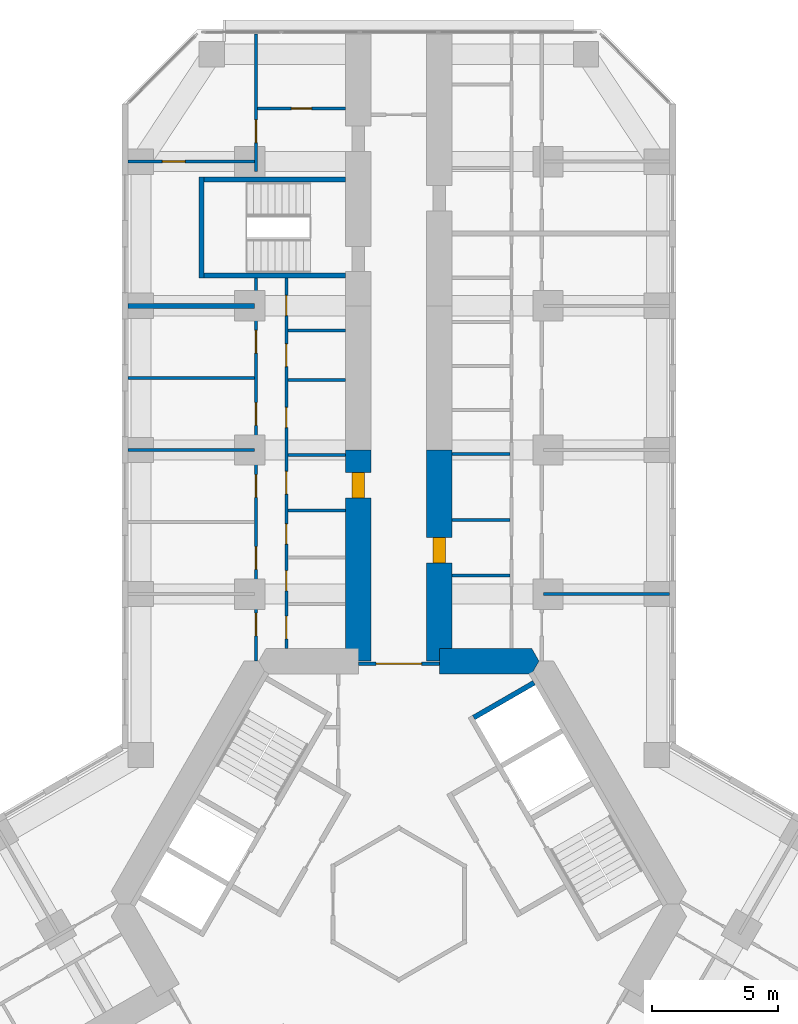
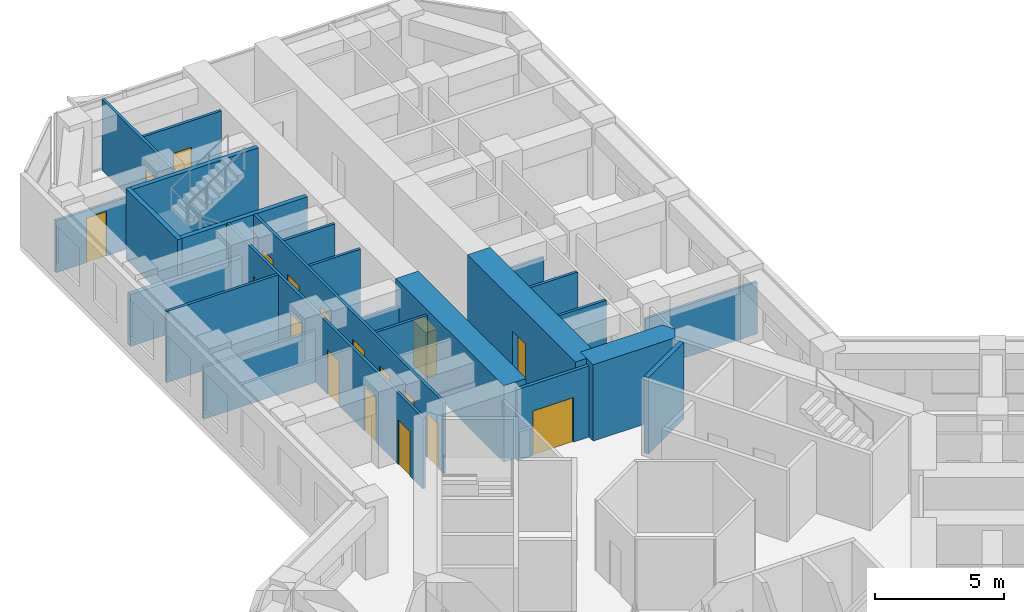
# One storey, part 17 of 21: 24 walls, 18 doors, 18 openings.
"""IFC4 building model written with IfcOpenShell, lengths in metres."""

from ifc_helpers import new_model, si_unit, direction, frame, frame_2d, origin, place, context, subcontext, project, spatial, polyline, rectangle, outline, extrude, material, layer, layer_set, type_object, element, fill, save


model = new_model("IFC4")

# Units and contexts
model_context = context("Model", 3, precision=1e-05, world=origin(), true_north=direction((0.0, 1.0)))
body_context = subcontext(model_context, "Body", "Model", "MODEL_VIEW")
ifc_project = project(units=[si_unit("LENGTHUNIT", "METRE"), si_unit("AREAUNIT", "SQUARE_METRE"), si_unit("VOLUMEUNIT", "CUBIC_METRE"), si_unit("PLANEANGLEUNIT", "RADIAN"), si_unit("MASSUNIT", "GRAM", prefix="KILO")], contexts=[model_context])

# Site, building, storey
site_placement = place(None, origin())
site = spatial("IfcSite", under=ifc_project, at=site_placement, CompositionType="ELEMENT")
building_placement = place(site_placement, origin())
building = spatial("IfcBuilding", under=site, at=building_placement, Name="Kosmar Iwan School Tower", CompositionType="ELEMENT")
storey_placement = place(building_placement, frame((0.0, 0.0, 68.199951171875)))
storey = spatial("IfcBuildingStorey", under=building, at=storey_placement, Name="L16", CompositionType="ELEMENT", Elevation=68.199951171875)

# Wall
ifc_material_1 = material(Name="Concrete C50/60", Category="concrete")
ifc_layer_1 = layer(ifc_material_1, 1.0)
ifc_layer_set_1 = layer_set([ifc_layer_1], Name="Core wall 1000")
wall_type_1 = type_object("IfcWallType", Name="Core wall 1000", PredefinedType="SHEAR", material=ifc_layer_set_1)
wall_1_placement = place(storey_placement, origin())
element("IfcWall", 1, at=wall_1_placement, inside=storey, type_object=wall_type_1, Name="Core wall F090a", PredefinedType="SHEAR", context=body_context, shape_type="SweptSolid", body=[
    extrude(outline(polyline([(1.60009765625, 9.10009765625), (5.25390625, 9.10009765625), (5.54248046875, 9.60009765625), (5.25390625, 10.10009765625), (1.60009765625, 10.10009765625), (1.60009765625, 9.10009765625)])), origin(), (0.0, 0.0, 1.0), 3.60009765625),
])

# Wall, opening, door
ifc_material_2 = material(Name="Concrete C50/60", Category="concrete")
ifc_layer_2 = layer(ifc_material_2, 1.0)
ifc_layer_set_2 = layer_set([ifc_layer_2], Name="Corridor buttress wall 1000")
wall_type_2 = type_object("IfcWallType", Name="Corridor buttress wall 1000", PredefinedType="SHEAR", material=ifc_layer_set_2)
wall_2_placement = place(storey_placement, frame((-1.60009765625, 9.60009765625, 0.0), z_axis=(0.0, 0.0, 1.0), x_axis=(0.0, 1.0, 0.0)))
wall_2 = element("IfcWall", 2, at=wall_2_placement, inside=storey, type_object=wall_type_2, Name="Corridor wall AL", PredefinedType="SHEAR", context=body_context, shape_type="SweptSolid", body=[
    extrude(rectangle(XDim=8.349853515625, YDim=1.0, at=frame_2d((4.1748046875, 0.0))), origin(), (0.0, 0.0, 1.0), 3.60009765625),
])
opening_1_placement = place(wall_2_placement, frame((6.449951171875, 0.0, 0.0)))
opening_1 = element("IfcOpeningElement", 3, at=opening_1_placement, cuts=wall_2, Name="Opening D1", PredefinedType="OPENING", context=body_context, shape_type="SweptSolid", body=[
    extrude(rectangle(XDim=1.0, YDim=2.10009765625, at=frame_2d((0.5, 1.050048828125))), frame((0.0, 0.511962890625, 0.0), z_axis=(0.0, -1.0, 0.0), x_axis=(1.0, 0.0, 0.0)), (0.0, 0.0, 1.0), 1.02392578125),
])
ifc_material_3 = material(Name="Timber fire door in steel frame", Category="steel")
door_type_1 = type_object("IfcDoorType", Name="Flat entrance door 1000x2100", OperationType="SINGLE_SWING_LEFT", PredefinedType="DOOR", material=ifc_material_3)
door_1_placement = place(opening_1_placement, origin())
door_1 = element("IfcDoor", 4, at=door_1_placement, inside=storey, type_object=door_type_1, Name="Flat L16-AL1 entrance door", OperationType="SINGLE_SWING_LEFT", OverallHeight=2.10009765625, OverallWidth=1.0, PredefinedType="DOOR", context=body_context, shape_type="SweptSolid", body=[
    extrude(rectangle(XDim=1.0, YDim=2.10009765625, at=frame_2d((0.5, 1.050048828125))), frame((0.0, 0.25, 0.0), z_axis=(0.0, -1.0, 0.0), x_axis=(1.0, 0.0, 0.0)), (0.0, 0.0, 1.0), 0.5),
])
fill(opening_1, door_1)

wall_3_placement = place(storey_placement, frame((1.60009765625, 9.60009765625, 0.0), z_axis=(0.0, 0.0, 1.0), x_axis=(0.0, 1.0, 0.0)))
wall_3 = element("IfcWall", 5, at=wall_3_placement, inside=storey, type_object=wall_type_2, Name="Corridor wall AR", PredefinedType="SHEAR", context=body_context, shape_type="SweptSolid", body=[
    extrude(rectangle(XDim=8.349853515625, YDim=1.0, at=frame_2d((4.1748046875, 0.0))), origin(), (0.0, 0.0, 1.0), 3.60009765625),
])
opening_2_placement = place(wall_3_placement, frame((3.8798828125, 0.0, 0.0)))
opening_2 = element("IfcOpeningElement", 6, at=opening_2_placement, cuts=wall_3, Name="Opening D1", PredefinedType="OPENING", context=body_context, shape_type="SweptSolid", body=[
    extrude(rectangle(XDim=1.0, YDim=2.10009765625, at=frame_2d((0.5, 1.050048828125))), frame((0.0, 0.511962890625, 0.0), z_axis=(0.0, -1.0, 0.0), x_axis=(1.0, 0.0, 0.0)), (0.0, 0.0, 1.0), 1.02392578125),
])
door_2_placement = place(opening_2_placement, origin())
door_2 = element("IfcDoor", 7, at=door_2_placement, inside=storey, type_object=door_type_1, Name="Flat L16-AR1 entrance door", OperationType="SINGLE_SWING_RIGHT", OverallHeight=2.10009765625, OverallWidth=1.0, PredefinedType="DOOR", context=body_context, shape_type="SweptSolid", body=[
    extrude(rectangle(XDim=1.0, YDim=2.10009765625, at=frame_2d((0.5, 1.050048828125))), frame((0.0, 0.25, 0.0), z_axis=(0.0, -1.0, 0.0), x_axis=(1.0, 0.0, 0.0)), (0.0, 0.0, 1.0), 0.5),
])
fill(opening_2, door_2)

ifc_material_4 = material(Name="Steel framed glazed screen", Category="steel")
ifc_layer_3 = layer(ifc_material_4, 0.14990234375)
ifc_layer_set_3 = layer_set([ifc_layer_3], Name="Corridor screen wall 150")
wall_type_3 = type_object("IfcWallType", Name="Corridor screen wall 150", PredefinedType="PARTITIONING", material=ifc_layer_set_3)
wall_4_placement = place(storey_placement, frame((1.60009765625, 9.5, 0.0), z_axis=(0.0, 0.0, 1.0), x_axis=(-1.0, 0.0, 0.0)))
wall_4 = element("IfcWall", 8, at=wall_4_placement, inside=storey, type_object=wall_type_3, Name="Corridor screen A L16", PredefinedType="PARTITIONING", context=body_context, shape_type="SweptSolid", body=[
    extrude(rectangle(XDim=3.2001953125, YDim=0.14990234375, at=frame_2d((1.60009765625, 0.0))), origin(), (0.0, 0.0, 1.0), 3.35009765625),
])
opening_3_placement = place(wall_4_placement, frame((0.699951171875, 0.0, 0.0)))
opening_3 = element("IfcOpeningElement", 9, at=opening_3_placement, cuts=wall_4, Name="Opening D9", PredefinedType="OPENING", context=body_context, shape_type="SweptSolid", body=[
    extrude(rectangle(XDim=1.800048828125, YDim=2.10009765625, at=frame_2d((0.89990234375, 1.050048828125))), frame((0.0, 0.0869140625, 0.0), z_axis=(0.0, -1.0, 0.0), x_axis=(1.0, 0.0, 0.0)), (0.0, 0.0, 1.0), 0.173828125),
])
ifc_material_5 = material(Name="Steel framed glazed smoke door", Category="steel")
door_type_2 = type_object("IfcDoorType", Name="Corridor smoke door pair 1800x2100", OperationType="DOUBLE_DOOR_DOUBLE_SWING", PredefinedType="DOOR", material=ifc_material_5)
door_3_placement = place(opening_3_placement, origin())
door_3 = element("IfcDoor", 10, at=door_3_placement, inside=storey, type_object=door_type_2, Name="Corridor doors A L16", OperationType="DOUBLE_DOOR_DOUBLE_SWING", OverallHeight=2.10009765625, OverallWidth=1.800048828125, PredefinedType="DOOR", context=body_context, shape_type="SweptSolid", body=[
    extrude(rectangle(XDim=1.800048828125, YDim=2.10009765625, at=frame_2d((0.89990234375, 1.050048828125))), frame((0.0, 0.02490234375, 0.0), z_axis=(0.0, -1.0, 0.0), x_axis=(1.0, 0.0, 0.0)), (0.0, 0.0, 1.0), 0.050048828125),
])
fill(opening_3, door_3)

# Wall, openings, doors
ifc_material_6 = material(Name="Gypsum board on steel studs", Category="steel")
ifc_layer_4 = layer(ifc_material_6, 0.1201171875)
ifc_layer_set_4 = layer_set([ifc_layer_4], Name="Dwelling partition 120")
wall_type_4 = type_object("IfcWallType", Name="Dwelling partition 120", PredefinedType="PARTITIONING", material=ifc_layer_set_4)
wall_5_placement = place(storey_placement, frame((-4.449951171875, 10.10009765625, 0.0), z_axis=(0.0, 0.0, 1.0), x_axis=(0.0, 1.0, 0.0)))
wall_5 = element("IfcWall", 11, at=wall_5_placement, inside=storey, type_object=wall_type_4, Name="Partition L16-AL1-W1", PredefinedType="PARTITIONING", context=body_context, shape_type="SweptSolid", body=[
    extrude(rectangle(XDim=14.64990234375, YDim=0.1201171875, at=frame_2d((7.324951171875, 0.0))), origin(), (0.0, 0.0, 1.0), 3.35009765625),
])
opening_4_placement = place(wall_5_placement, frame((0.375, 0.0, 0.0)))
opening_4 = element("IfcOpeningElement", 12, at=opening_4_placement, cuts=wall_5, Name="Opening D2", PredefinedType="OPENING", context=body_context, shape_type="SweptSolid", body=[
    extrude(rectangle(XDim=0.89990234375, YDim=2.10009765625, at=frame_2d((0.449951171875, 1.050048828125))), frame((0.0, 0.072021484375, 0.0), z_axis=(0.0, -1.0, 0.0), x_axis=(1.0, 0.0, 0.0)), (0.0, 0.0, 1.0), 0.14404296875),
])
opening_5_placement = place(wall_5_placement, frame((2.27490234375, 0.0, 0.0)))
opening_5 = element("IfcOpeningElement", 13, at=opening_5_placement, cuts=wall_5, Name="Opening D3", PredefinedType="OPENING", context=body_context, shape_type="SweptSolid", body=[
    extrude(rectangle(XDim=0.800048828125, YDim=2.10009765625, at=frame_2d((0.39990234375, 1.050048828125))), frame((0.0, 0.072021484375, 0.0), z_axis=(0.0, -1.0, 0.0), x_axis=(1.0, 0.0, 0.0)), (0.0, 0.0, 1.0), 0.14404296875),
])
opening_6_placement = place(wall_5_placement, frame((4.125, 0.0, 0.0)))
opening_6 = element("IfcOpeningElement", 14, at=opening_6_placement, cuts=wall_5, Name="Opening D3", PredefinedType="OPENING", context=body_context, shape_type="SweptSolid", body=[
    extrude(rectangle(XDim=0.800048828125, YDim=2.10009765625, at=frame_2d((0.39990234375, 1.050048828125))), frame((0.0, 0.072021484375, 0.0), z_axis=(0.0, -1.0, 0.0), x_axis=(1.0, 0.0, 0.0)), (0.0, 0.0, 1.0), 0.14404296875),
])
opening_7_placement = place(wall_5_placement, frame((6.10009765625, 0.0, 0.0)))
opening_7 = element("IfcOpeningElement", 15, at=opening_7_placement, cuts=wall_5, Name="Opening D2", PredefinedType="OPENING", context=body_context, shape_type="SweptSolid", body=[
    extrude(rectangle(XDim=0.89990234375, YDim=2.10009765625, at=frame_2d((0.449951171875, 1.050048828125))), frame((0.0, 0.072021484375, 0.0), z_axis=(0.0, -1.0, 0.0), x_axis=(1.0, 0.0, 0.0)), (0.0, 0.0, 1.0), 0.14404296875),
])
opening_8_placement = place(wall_5_placement, frame((8.728515625, 0.0, 0.0)))
opening_8 = element("IfcOpeningElement", 16, at=opening_8_placement, cuts=wall_5, Name="Opening D3", PredefinedType="OPENING", context=body_context, shape_type="SweptSolid", body=[
    extrude(rectangle(XDim=0.800048828125, YDim=2.10009765625, at=frame_2d((0.39990234375, 1.050048828125))), frame((0.0, 0.072021484375, 0.0), z_axis=(0.0, -1.0, 0.0), x_axis=(1.0, 0.0, 0.0)), (0.0, 0.0, 1.0), 0.14404296875),
])
opening_9_placement = place(wall_5_placement, frame((11.142822265625, 0.0, 0.0)))
opening_9 = element("IfcOpeningElement", 17, at=opening_9_placement, cuts=wall_5, Name="Opening D2", PredefinedType="OPENING", context=body_context, shape_type="SweptSolid", body=[
    extrude(rectangle(XDim=0.89990234375, YDim=2.10009765625, at=frame_2d((0.449951171875, 1.050048828125))), frame((0.0, 0.072021484375, 0.0), z_axis=(0.0, -1.0, 0.0), x_axis=(1.0, 0.0, 0.0)), (0.0, 0.0, 1.0), 0.14404296875),
])
opening_10_placement = place(wall_5_placement, frame((13.164306640625, 0.0, 0.0)))
opening_10 = element("IfcOpeningElement", 18, at=opening_10_placement, cuts=wall_5, Name="Opening D3", PredefinedType="OPENING", context=body_context, shape_type="SweptSolid", body=[
    extrude(rectangle(XDim=0.800048828125, YDim=2.10009765625, at=frame_2d((0.39990234375, 1.050048828125))), frame((0.0, 0.072021484375, 0.0), z_axis=(0.0, -1.0, 0.0), x_axis=(1.0, 0.0, 0.0)), (0.0, 0.0, 1.0), 0.14404296875),
])
ifc_material_7 = material(Name="Timber door in timber frame", Category="wood")
door_type_3 = type_object("IfcDoorType", Name="Internal door 900x2100", OperationType="SINGLE_SWING_LEFT", PredefinedType="DOOR", material=ifc_material_7)
door_4_placement = place(opening_4_placement, origin())
door_4 = element("IfcDoor", 19, at=door_4_placement, inside=storey, type_object=door_type_3, Name="Utility room door L16-AL1-S1", OperationType="SINGLE_SWING_LEFT", OverallHeight=2.10009765625, OverallWidth=0.89990234375, PredefinedType="DOOR", context=body_context, shape_type="SweptSolid", body=[
    extrude(rectangle(XDim=0.89990234375, YDim=2.10009765625, at=frame_2d((0.449951171875, 1.050048828125))), frame((0.0, 0.02490234375, 0.0), z_axis=(0.0, -1.0, 0.0), x_axis=(1.0, 0.0, 0.0)), (0.0, 0.0, 1.0), 0.050048828125),
])
fill(opening_4, door_4)
door_5_placement = place(opening_7_placement, origin())
door_5 = element("IfcDoor", 20, at=door_5_placement, inside=storey, type_object=door_type_3, Name="Entrance hall door L16-AL1-S4", OperationType="SINGLE_SWING_LEFT", OverallHeight=2.10009765625, OverallWidth=0.89990234375, PredefinedType="DOOR", context=body_context, shape_type="SweptSolid", body=[
    extrude(rectangle(XDim=0.89990234375, YDim=2.10009765625, at=frame_2d((0.449951171875, 1.050048828125))), frame((0.0, 0.02490234375, 0.0), z_axis=(0.0, -1.0, 0.0), x_axis=(1.0, 0.0, 0.0)), (0.0, 0.0, 1.0), 0.050048828125),
])
fill(opening_7, door_5)
door_6_placement = place(opening_9_placement, origin())
door_6 = element("IfcDoor", 21, at=door_6_placement, inside=storey, type_object=door_type_3, Name="Pantry door L16-AL1-S6", OperationType="SINGLE_SWING_RIGHT", OverallHeight=2.10009765625, OverallWidth=0.89990234375, PredefinedType="DOOR", context=body_context, shape_type="SweptSolid", body=[
    extrude(rectangle(XDim=0.89990234375, YDim=2.10009765625, at=frame_2d((0.449951171875, 1.050048828125))), frame((0.0, 0.02490234375, 0.0), z_axis=(0.0, -1.0, 0.0), x_axis=(1.0, 0.0, 0.0)), (0.0, 0.0, 1.0), 0.050048828125),
])
fill(opening_9, door_6)
ifc_material_8 = material(Name="Timber door in timber frame", Category="wood")
door_type_4 = type_object("IfcDoorType", Name="Sanitary room door 800x2100", OperationType="SINGLE_SWING_LEFT", PredefinedType="DOOR", material=ifc_material_8)
door_7_placement = place(opening_5_placement, origin())
door_7 = element("IfcDoor", 22, at=door_7_placement, inside=storey, type_object=door_type_4, Name="WC door L16-AL1-S2", OperationType="SINGLE_SWING_LEFT", OverallHeight=2.10009765625, OverallWidth=0.800048828125, PredefinedType="DOOR", context=body_context, shape_type="SweptSolid", body=[
    extrude(rectangle(XDim=0.800048828125, YDim=2.10009765625, at=frame_2d((0.39990234375, 1.050048828125))), frame((0.0, 0.02490234375, 0.0), z_axis=(0.0, -1.0, 0.0), x_axis=(1.0, 0.0, 0.0)), (0.0, 0.0, 1.0), 0.050048828125),
])
fill(opening_5, door_7)
door_8_placement = place(opening_6_placement, origin())
door_8 = element("IfcDoor", 23, at=door_8_placement, inside=storey, type_object=door_type_4, Name="Shower room door L16-AL1-S3", OperationType="SINGLE_SWING_LEFT", OverallHeight=2.10009765625, OverallWidth=0.800048828125, PredefinedType="DOOR", context=body_context, shape_type="SweptSolid", body=[
    extrude(rectangle(XDim=0.800048828125, YDim=2.10009765625, at=frame_2d((0.39990234375, 1.050048828125))), frame((0.0, 0.02490234375, 0.0), z_axis=(0.0, -1.0, 0.0), x_axis=(1.0, 0.0, 0.0)), (0.0, 0.0, 1.0), 0.050048828125),
])
fill(opening_6, door_8)
door_9_placement = place(opening_8_placement, origin())
door_9 = element("IfcDoor", 24, at=door_9_placement, inside=storey, type_object=door_type_4, Name="Bathroom door L16-AL1-S5", OperationType="SINGLE_SWING_RIGHT", OverallHeight=2.10009765625, OverallWidth=0.800048828125, PredefinedType="DOOR", context=body_context, shape_type="SweptSolid", body=[
    extrude(rectangle(XDim=0.800048828125, YDim=2.10009765625, at=frame_2d((0.39990234375, 1.050048828125))), frame((0.0, 0.02490234375, 0.0), z_axis=(0.0, -1.0, 0.0), x_axis=(1.0, 0.0, 0.0)), (0.0, 0.0, 1.0), 0.050048828125),
])
fill(opening_8, door_9)
door_10_placement = place(opening_10_placement, origin())
door_10 = element("IfcDoor", 25, at=door_10_placement, inside=storey, type_object=door_type_4, Name="Store door L16-AL1-S7", OperationType="SINGLE_SWING_RIGHT", OverallHeight=2.10009765625, OverallWidth=0.800048828125, PredefinedType="DOOR", context=body_context, shape_type="SweptSolid", body=[
    extrude(rectangle(XDim=0.800048828125, YDim=2.10009765625, at=frame_2d((0.39990234375, 1.050048828125))), frame((0.0, 0.02490234375, 0.0), z_axis=(0.0, -1.0, 0.0), x_axis=(1.0, 0.0, 0.0)), (0.0, 0.0, 1.0), 0.050048828125),
])
fill(opening_10, door_10)

wall_6_placement = place(storey_placement, frame((-5.64990234375, 9.60009765625, 0.0), z_axis=(0.0, 0.0, 1.0), x_axis=(0.0, 1.0, 0.0)))
wall_6 = element("IfcWall", 26, at=wall_6_placement, inside=storey, type_object=wall_type_4, Name="Partition L16-AL1-W2", PredefinedType="PARTITIONING", context=body_context, shape_type="SweptSolid", body=[
    extrude(rectangle(XDim=15.14990234375, YDim=0.1201171875, at=frame_2d((7.574951171875, 0.0))), origin(), (0.0, 0.0, 1.0), 3.35009765625),
])
opening_11_placement = place(wall_6_placement, frame((1.0, 0.0, 0.0)))
opening_11 = element("IfcOpeningElement", 27, at=opening_11_placement, cuts=wall_6, Name="Opening D2", PredefinedType="OPENING", context=body_context, shape_type="SweptSolid", body=[
    extrude(rectangle(XDim=0.89990234375, YDim=2.10009765625, at=frame_2d((0.449951171875, 1.050048828125))), frame((0.0, 0.072021484375, 0.0), z_axis=(0.0, -1.0, 0.0), x_axis=(1.0, 0.0, 0.0)), (0.0, 0.0, 1.0), 0.14404296875),
])
opening_12_placement = place(wall_6_placement, frame((3.625, 0.0, 0.0)))
opening_12 = element("IfcOpeningElement", 28, at=opening_12_placement, cuts=wall_6, Name="Opening D2", PredefinedType="OPENING", context=body_context, shape_type="SweptSolid", body=[
    extrude(rectangle(XDim=0.89990234375, YDim=2.10009765625, at=frame_2d((0.449951171875, 1.050048828125))), frame((0.0, 0.072021484375, 0.0), z_axis=(0.0, -1.0, 0.0), x_axis=(1.0, 0.0, 0.0)), (0.0, 0.0, 1.0), 0.14404296875),
])
opening_13_placement = place(wall_6_placement, frame((6.47509765625, 0.0, 0.0)))
opening_13 = element("IfcOpeningElement", 29, at=opening_13_placement, cuts=wall_6, Name="Opening D2", PredefinedType="OPENING", context=body_context, shape_type="SweptSolid", body=[
    extrude(rectangle(XDim=0.89990234375, YDim=2.10009765625, at=frame_2d((0.449951171875, 1.050048828125))), frame((0.0, 0.072021484375, 0.0), z_axis=(0.0, -1.0, 0.0), x_axis=(1.0, 0.0, 0.0)), (0.0, 0.0, 1.0), 0.14404296875),
])
opening_14_placement = place(wall_6_placement, frame((9.324951171875, 0.0, 0.0)))
opening_14 = element("IfcOpeningElement", 30, at=opening_14_placement, cuts=wall_6, Name="Opening D2", PredefinedType="OPENING", context=body_context, shape_type="SweptSolid", body=[
    extrude(rectangle(XDim=0.89990234375, YDim=2.10009765625, at=frame_2d((0.449951171875, 1.050048828125))), frame((0.0, 0.072021484375, 0.0), z_axis=(0.0, -1.0, 0.0), x_axis=(1.0, 0.0, 0.0)), (0.0, 0.0, 1.0), 0.14404296875),
])
opening_15_placement = place(wall_6_placement, frame((12.175048828125, 0.0, 0.0)))
opening_15 = element("IfcOpeningElement", 31, at=opening_15_placement, cuts=wall_6, Name="Opening D2", PredefinedType="OPENING", context=body_context, shape_type="SweptSolid", body=[
    extrude(rectangle(XDim=0.89990234375, YDim=2.10009765625, at=frame_2d((0.449951171875, 1.050048828125))), frame((0.0, 0.072021484375, 0.0), z_axis=(0.0, -1.0, 0.0), x_axis=(1.0, 0.0, 0.0)), (0.0, 0.0, 1.0), 0.14404296875),
])
door_11_placement = place(opening_11_placement, origin())
door_11 = element("IfcDoor", 32, at=door_11_placement, inside=storey, type_object=door_type_3, Name="Living room and kitchen door L16-AL1-F1", OperationType="SINGLE_SWING_LEFT", OverallHeight=2.10009765625, OverallWidth=0.89990234375, PredefinedType="DOOR", context=body_context, shape_type="SweptSolid", body=[
    extrude(rectangle(XDim=0.89990234375, YDim=2.10009765625, at=frame_2d((0.449951171875, 1.050048828125))), frame((0.0, 0.02490234375, 0.0), z_axis=(0.0, -1.0, 0.0), x_axis=(1.0, 0.0, 0.0)), (0.0, 0.0, 1.0), 0.050048828125),
])
fill(opening_11, door_11)
door_12_placement = place(opening_12_placement, origin())
door_12 = element("IfcDoor", 33, at=door_12_placement, inside=storey, type_object=door_type_3, Name="Study door L16-AL1-F2", OperationType="SINGLE_SWING_LEFT", OverallHeight=2.10009765625, OverallWidth=0.89990234375, PredefinedType="DOOR", context=body_context, shape_type="SweptSolid", body=[
    extrude(rectangle(XDim=0.89990234375, YDim=2.10009765625, at=frame_2d((0.449951171875, 1.050048828125))), frame((0.0, 0.02490234375, 0.0), z_axis=(0.0, -1.0, 0.0), x_axis=(1.0, 0.0, 0.0)), (0.0, 0.0, 1.0), 0.050048828125),
])
fill(opening_12, door_12)
door_13_placement = place(opening_13_placement, origin())
door_13 = element("IfcDoor", 34, at=door_13_placement, inside=storey, type_object=door_type_3, Name="Bedroom 1 door L16-AL1-F3", OperationType="SINGLE_SWING_RIGHT", OverallHeight=2.10009765625, OverallWidth=0.89990234375, PredefinedType="DOOR", context=body_context, shape_type="SweptSolid", body=[
    extrude(rectangle(XDim=0.89990234375, YDim=2.10009765625, at=frame_2d((0.449951171875, 1.050048828125))), frame((0.0, 0.02490234375, 0.0), z_axis=(0.0, -1.0, 0.0), x_axis=(1.0, 0.0, 0.0)), (0.0, 0.0, 1.0), 0.050048828125),
])
fill(opening_13, door_13)
door_14_placement = place(opening_14_placement, origin())
door_14 = element("IfcDoor", 35, at=door_14_placement, inside=storey, type_object=door_type_3, Name="Bedroom 2 door L16-AL1-F4", OperationType="SINGLE_SWING_LEFT", OverallHeight=2.10009765625, OverallWidth=0.89990234375, PredefinedType="DOOR", context=body_context, shape_type="SweptSolid", body=[
    extrude(rectangle(XDim=0.89990234375, YDim=2.10009765625, at=frame_2d((0.449951171875, 1.050048828125))), frame((0.0, 0.02490234375, 0.0), z_axis=(0.0, -1.0, 0.0), x_axis=(1.0, 0.0, 0.0)), (0.0, 0.0, 1.0), 0.050048828125),
])
fill(opening_14, door_14)
door_15_placement = place(opening_15_placement, origin())
door_15 = element("IfcDoor", 36, at=door_15_placement, inside=storey, type_object=door_type_3, Name="Bedroom 3 door L16-AL1-F5", OperationType="SINGLE_SWING_RIGHT", OverallHeight=2.10009765625, OverallWidth=0.89990234375, PredefinedType="DOOR", context=body_context, shape_type="SweptSolid", body=[
    extrude(rectangle(XDim=0.89990234375, YDim=2.10009765625, at=frame_2d((0.449951171875, 1.050048828125))), frame((0.0, 0.02490234375, 0.0), z_axis=(0.0, -1.0, 0.0), x_axis=(1.0, 0.0, 0.0)), (0.0, 0.0, 1.0), 0.050048828125),
])
fill(opening_15, door_15)

# Walls
wall_7_placement = place(storey_placement, frame((-5.7099609375, 17.949951171875, 0.0), z_axis=(0.0, 0.0, 1.0), x_axis=(-1.0, 0.0, 0.0)))
element("IfcWall", 37, at=wall_7_placement, inside=storey, type_object=wall_type_4, Name="Partition L16-AL1-X3", PredefinedType="PARTITIONING", context=body_context, shape_type="SweptSolid", body=[
    extrude(rectangle(XDim=4.989990234375, YDim=0.1201171875, at=frame_2d((2.4951171875, 0.0))), origin(), (0.0, 0.0, 1.0), 2.449951171875),
])
wall_8_placement = place(storey_placement, frame((-5.7099609375, 20.800048828125, 0.0), z_axis=(0.0, 0.0, 1.0), x_axis=(-1.0, 0.0, 0.0)))
element("IfcWall", 38, at=wall_8_placement, inside=storey, type_object=wall_type_4, Name="Partition L16-AL1-X4", PredefinedType="PARTITIONING", context=body_context, shape_type="SweptSolid", body=[
    extrude(rectangle(XDim=4.989990234375, YDim=0.1201171875, at=frame_2d((2.4951171875, 0.0))), origin(), (0.0, 0.0, 1.0), 3.35009765625),
])
wall_9_placement = place(storey_placement, frame((-2.10009765625, 15.550048828125, 0.0), z_axis=(0.0, 0.0, 1.0), x_axis=(-1.0, 0.0, 0.0)))
element("IfcWall", 39, at=wall_9_placement, inside=storey, type_object=wall_type_4, Name="Partition L16-AL1-Y3", PredefinedType="PARTITIONING", context=body_context, shape_type="SweptSolid", body=[
    extrude(rectangle(XDim=2.289794921875, YDim=0.1201171875, at=frame_2d((1.14501953125, 0.0))), origin(), (0.0, 0.0, 1.0), 3.35009765625),
])
wall_10_placement = place(storey_placement, frame((-2.10009765625, 17.75, 0.0), z_axis=(0.0, 0.0, 1.0), x_axis=(-1.0, 0.0, 0.0)))
element("IfcWall", 40, at=wall_10_placement, inside=storey, type_object=wall_type_4, Name="Partition L16-AL1-Y4", PredefinedType="PARTITIONING", context=body_context, shape_type="SweptSolid", body=[
    extrude(rectangle(XDim=2.289794921875, YDim=0.1201171875, at=frame_2d((1.14501953125, 0.0))), origin(), (0.0, 0.0, 1.0), 2.449951171875),
])
for number, where, z_axis, x_axis, name in (
    (41, (-2.10009765625, 20.70703125, 0.0), (0.0, 0.0, 1.0), (-1.0, 0.0, 0.0), "Partition L16-AL1-Y5"),
    (42, (-2.10009765625, 22.678466796875, 0.0), (0.0, 0.0, 1.0), (-1.0, 0.0, 0.0), "Partition L16-AL1-Y6"),
):
    element("IfcWall", number, at=place(storey_placement, frame(where, z_axis=z_axis, x_axis=x_axis)), inside=storey, type_object=wall_type_4, Name=name, PredefinedType="PARTITIONING", context=body_context, shape_type="SweptSolid", body=[
        extrude(rectangle(XDim=2.289794921875, YDim=0.1201171875, at=frame_2d((1.14501953125, 0.0))), origin(), (0.0, 0.0, 1.0), 3.35009765625),
    ])

# Wall, opening, door
wall_11_placement = place(storey_placement, frame((-5.7099609375, 29.35009765625, 0.0), z_axis=(0.0, 0.0, 1.0), x_axis=(-1.0, 0.0, 0.0)))
wall_11 = element("IfcWall", 43, at=wall_11_placement, inside=storey, type_object=wall_type_4, Name="Partition L16-AL2-TX", PredefinedType="PARTITIONING", context=body_context, shape_type="SweptSolid", body=[
    extrude(rectangle(XDim=4.989990234375, YDim=0.1201171875, at=frame_2d((2.4951171875, 0.0))), origin(), (0.0, 0.0, 1.0), 2.449951171875),
])
opening_16_placement = place(wall_11_placement, frame((2.739990234375, 0.0, 0.0)))
opening_16 = element("IfcOpeningElement", 44, at=opening_16_placement, cuts=wall_11, Name="Opening D2", PredefinedType="OPENING", context=body_context, shape_type="SweptSolid", body=[
    extrude(rectangle(XDim=0.89990234375, YDim=2.10009765625, at=frame_2d((0.449951171875, 1.050048828125))), frame((0.0, 0.072021484375, 0.0), z_axis=(0.0, -1.0, 0.0), x_axis=(1.0, 0.0, 0.0)), (0.0, 0.0, 1.0), 0.14404296875),
])
door_16_placement = place(opening_16_placement, origin())
door_16 = element("IfcDoor", 45, at=door_16_placement, inside=storey, type_object=door_type_3, Name="Bedroom 1 door L16-AL2-T1", OperationType="SINGLE_SWING_RIGHT", OverallHeight=2.10009765625, OverallWidth=0.89990234375, PredefinedType="DOOR", context=body_context, shape_type="SweptSolid", body=[
    extrude(rectangle(XDim=0.89990234375, YDim=2.10009765625, at=frame_2d((0.449951171875, 1.050048828125))), frame((0.0, 0.02490234375, 0.0), z_axis=(0.0, -1.0, 0.0), x_axis=(1.0, 0.0, 0.0)), (0.0, 0.0, 1.0), 0.050048828125),
])
fill(opening_16, door_16)

wall_12_placement = place(storey_placement, frame((-5.64990234375, 28.949951171875, 0.0), z_axis=(0.0, 0.0, 1.0), x_axis=(0.0, 1.0, 0.0)))
wall_12 = element("IfcWall", 46, at=wall_12_placement, inside=storey, type_object=wall_type_4, Name="Partition L16-AL2-TW", PredefinedType="PARTITIONING", context=body_context, shape_type="SweptSolid", body=[
    extrude(rectangle(XDim=5.445068359375, YDim=0.1201171875, at=frame_2d((2.72265625, 0.0))), origin(), (0.0, 0.0, 1.0), 3.35009765625),
])
opening_17_placement = place(wall_12_placement, frame((1.14990234375, 0.0, 0.0)))
opening_17 = element("IfcOpeningElement", 47, at=opening_17_placement, cuts=wall_12, Name="Opening D2", PredefinedType="OPENING", context=body_context, shape_type="SweptSolid", body=[
    extrude(rectangle(XDim=0.89990234375, YDim=2.10009765625, at=frame_2d((0.449951171875, 1.050048828125))), frame((0.0, 0.072021484375, 0.0), z_axis=(0.0, -1.0, 0.0), x_axis=(1.0, 0.0, 0.0)), (0.0, 0.0, 1.0), 0.14404296875),
])
door_17_placement = place(opening_17_placement, origin())
door_17 = element("IfcDoor", 48, at=door_17_placement, inside=storey, type_object=door_type_3, Name="Entrance hall door L16-AL2-T3", OperationType="SINGLE_SWING_LEFT", OverallHeight=2.10009765625, OverallWidth=0.89990234375, PredefinedType="DOOR", context=body_context, shape_type="SweptSolid", body=[
    extrude(rectangle(XDim=0.89990234375, YDim=2.10009765625, at=frame_2d((0.449951171875, 1.050048828125))), frame((0.0, 0.02490234375, 0.0), z_axis=(0.0, -1.0, 0.0), x_axis=(1.0, 0.0, 0.0)), (0.0, 0.0, 1.0), 0.050048828125),
])
fill(opening_17, door_17)

wall_13_placement = place(storey_placement, frame((-2.10009765625, 31.449951171875, 0.0), z_axis=(0.0, 0.0, 1.0), x_axis=(-1.0, 0.0, 0.0)))
wall_13 = element("IfcWall", 49, at=wall_13_placement, inside=storey, type_object=wall_type_4, Name="Partition L16-AL2-TY", PredefinedType="PARTITIONING", context=body_context, shape_type="SweptSolid", body=[
    extrude(rectangle(XDim=3.489990234375, YDim=0.1201171875, at=frame_2d((1.7451171875, 0.0))), origin(), (0.0, 0.0, 1.0), 3.35009765625),
])
opening_18_placement = place(wall_13_placement, frame((1.344970703125, 0.0, 0.0)))
opening_18 = element("IfcOpeningElement", 50, at=opening_18_placement, cuts=wall_13, Name="Opening D3", PredefinedType="OPENING", context=body_context, shape_type="SweptSolid", body=[
    extrude(rectangle(XDim=0.800048828125, YDim=2.10009765625, at=frame_2d((0.39990234375, 1.050048828125))), frame((0.0, 0.072021484375, 0.0), z_axis=(0.0, -1.0, 0.0), x_axis=(1.0, 0.0, 0.0)), (0.0, 0.0, 1.0), 0.14404296875),
])
door_18_placement = place(opening_18_placement, origin())
door_18 = element("IfcDoor", 51, at=door_18_placement, inside=storey, type_object=door_type_4, Name="Bathroom door L16-AL2-T4", OperationType="SINGLE_SWING_LEFT", OverallHeight=2.10009765625, OverallWidth=0.800048828125, PredefinedType="DOOR", context=body_context, shape_type="SweptSolid", body=[
    extrude(rectangle(XDim=0.800048828125, YDim=2.10009765625, at=frame_2d((0.39990234375, 1.050048828125))), frame((0.0, 0.02490234375, 0.0), z_axis=(0.0, -1.0, 0.0), x_axis=(1.0, 0.0, 0.0)), (0.0, 0.0, 1.0), 0.050048828125),
])
fill(opening_18, door_18)

# Walls
wall_14_placement = place(storey_placement, frame((5.7099609375, 12.25, 0.0), z_axis=(0.0, 0.0, 1.0), x_axis=(1.0, 0.0, 0.0)))
element("IfcWall", 52, at=wall_14_placement, inside=storey, type_object=wall_type_4, Name="Partition L16-AR1-X1", PredefinedType="PARTITIONING", context=body_context, shape_type="SweptSolid", body=[
    extrude(rectangle(XDim=4.989990234375, YDim=0.1201171875, at=frame_2d((2.4951171875, 0.0))), origin(), (0.0, 0.0, 1.0), 2.449951171875),
])
for number, where, z_axis, x_axis, name in (
    (53, (2.10009765625, 12.97998046875, 0.0), (0.0, 0.0, 1.0), (1.0, 0.0, 0.0), "Partition L16-AR1-Y1"),
    (54, (2.10009765625, 15.179931640625, 0.0), (0.0, 0.0, 1.0), (1.0, 0.0, 0.0), "Partition L16-AR1-Y2"),
):
    element("IfcWall", number, at=place(storey_placement, frame(where, z_axis=z_axis, x_axis=x_axis)), inside=storey, type_object=wall_type_4, Name=name, PredefinedType="PARTITIONING", context=body_context, shape_type="SweptSolid", body=[
        extrude(rectangle(XDim=2.289794921875, YDim=0.1201171875, at=frame_2d((1.14501953125, 0.0))), origin(), (0.0, 0.0, 1.0), 3.35009765625),
    ])
wall_15_placement = place(storey_placement, frame((2.10009765625, 17.792236328125, 0.0), z_axis=(0.0, 0.0, 1.0), x_axis=(1.0, 0.0, 0.0)))
element("IfcWall", 55, at=wall_15_placement, inside=storey, type_object=wall_type_4, Name="Partition L16-AR1-Y3", PredefinedType="PARTITIONING", context=body_context, shape_type="SweptSolid", body=[
    extrude(rectangle(XDim=2.289794921875, YDim=0.1201171875, at=frame_2d((1.14501953125, 0.0))), origin(), (0.0, 0.0, 1.0), 2.449951171875),
])
ifc_material_9 = material(Name="Concrete C35/45", Category="concrete")
ifc_layer_5 = layer(ifc_material_9, 0.199951171875)
ifc_layer_set_5 = layer_set([ifc_layer_5], Name="Escape stair wall 200")
wall_type_5 = type_object("IfcWallType", Name="Escape stair wall 200", PredefinedType="SHEAR", material=ifc_layer_set_5)
for number, where, z_axis, x_axis, name in (
    (56, (-2.10009765625, 24.85009765625, 0.0), (0.0, 0.0, 1.0), (-1.0, 0.0, 0.0), "Stair WS1 wall"),
    (57, (-2.10009765625, 28.64990234375, 0.0), (0.0, 0.0, 1.0), (-1.0, 0.0, 0.0), "Stair WS1 wall"),
):
    element("IfcWall", number, at=place(storey_placement, frame(where, z_axis=z_axis, x_axis=x_axis)), inside=storey, type_object=wall_type_5, Name=name, PredefinedType="SHEAR", context=body_context, shape_type="SweptSolid", body=[
        extrude(rectangle(XDim=5.7998046875, YDim=0.199951171875, at=frame_2d((2.89990234375, 0.0))), origin(), (0.0, 0.0, 1.0), 3.330078125),
    ])
wall_16_placement = place(storey_placement, frame((-7.800048828125, 24.75, 0.0), z_axis=(0.0, 0.0, 1.0), x_axis=(0.0, 1.0, 0.0)))
element("IfcWall", 58, at=wall_16_placement, inside=storey, type_object=wall_type_5, Name="Stair WS1 wall", PredefinedType="SHEAR", context=body_context, shape_type="SweptSolid", body=[
    extrude(rectangle(XDim=4.0, YDim=0.199951171875, at=frame_2d((2.0, 0.0))), origin(), (0.0, 0.0, 1.0), 3.330078125),
])
ifc_material_10 = material(Name="Concrete C50/60", Category="concrete")
ifc_layer_6 = layer(ifc_material_10, 0.199951171875)
ifc_layer_set_6 = layer_set([ifc_layer_6], Name="Lift shaft wall 200")
wall_type_6 = type_object("IfcWallType", Name="Lift shaft wall 200", PredefinedType="SHEAR", material=ifc_layer_set_6)
wall_17_placement = place(storey_placement, frame((2.962646484375, 7.368408203125, 0.0), z_axis=(0.0, 0.0, 1.0), x_axis=(0.866027397988, 0.499996545922, 0.0)))
element("IfcWall", 59, at=wall_17_placement, inside=storey, type_object=wall_type_6, Name="Lift shaft wall AC 2", PredefinedType="SHEAR", context=body_context, shape_type="SweptSolid", body=[
    extrude(rectangle(XDim=2.75, YDim=0.199951171875, at=frame_2d((1.375, 0.0))), origin(), (0.0, 0.0, 1.0), 3.60009765625),
])
ifc_material_11 = material(Name="Concrete block masonry", Category="masonry")
ifc_layer_7 = layer(ifc_material_11, 0.199951171875)
ifc_layer_set_7 = layer_set([ifc_layer_7], Name="Party wall 200")
wall_type_7 = type_object("IfcWallType", Name="Party wall 200", PredefinedType="PARTITIONING", material=ifc_layer_set_7)
wall_18_placement = place(storey_placement, frame((-5.7099609375, 23.64990234375, 0.0), z_axis=(0.0, 0.0, 1.0), x_axis=(-1.0, 0.0, 0.0)))
element("IfcWall", 60, at=wall_18_placement, inside=storey, type_object=wall_type_7, Name="Partition L16-AL2-TB", PredefinedType="PARTITIONING", context=body_context, shape_type="SweptSolid", body=[
    extrude(rectangle(XDim=4.989990234375, YDim=0.199951171875, at=frame_2d((2.4951171875, 0.0))), origin(), (0.0, 0.0, 1.0), 2.449951171875),
])

save(model, "model.ifc")
